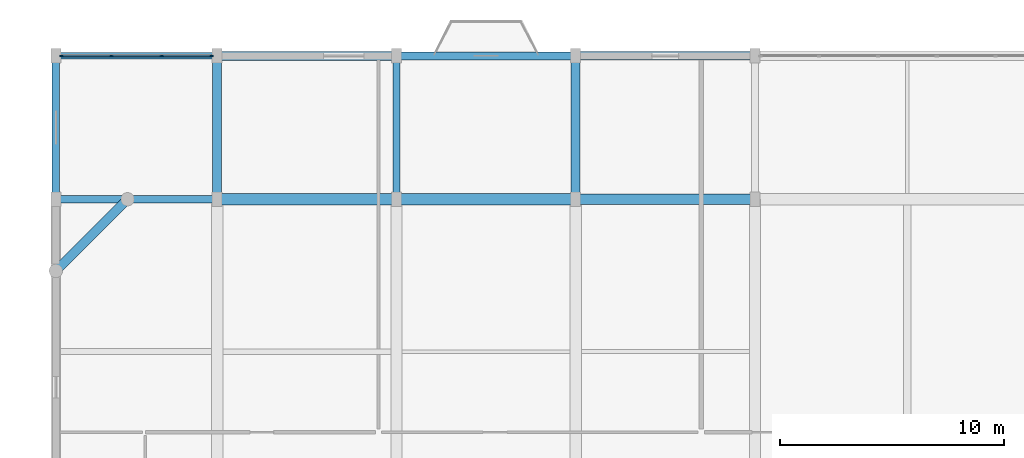
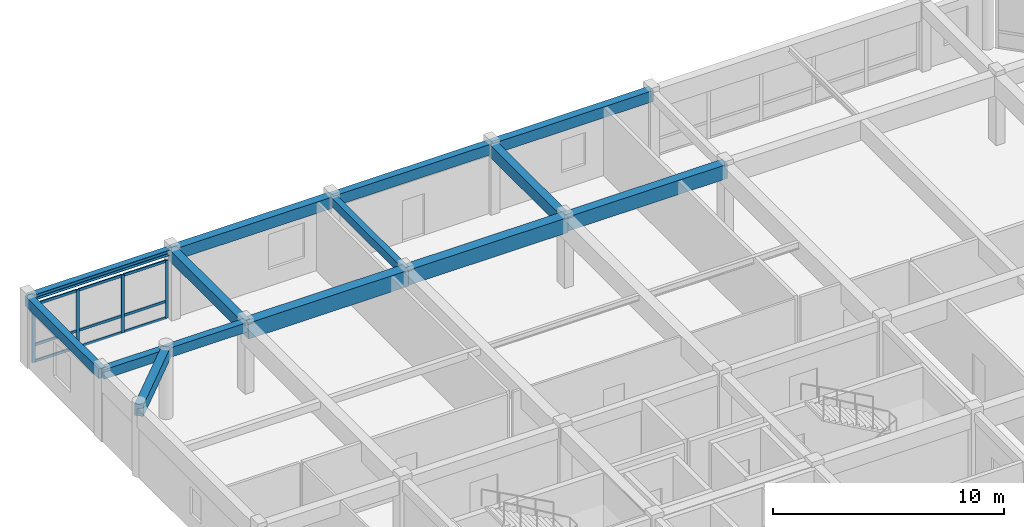
# One storey, part 7 of 13: 13 beams, 13 members, 1 element without a shape of its own.
"""IFC4 building model written with IfcOpenShell, lengths in metres."""

from ifc_helpers import new_model, si_unit, direction, frame, origin, origin_2d, place, context, subcontext, project, spatial, rectangle, i_section, extrude, material, material_profile, profile_set, type_object, element, aggregate, save


model = new_model("IFC4")

# Units and contexts
model_context = context("Model", 3, precision=1e-05, world=origin(), true_north=direction((0.0, 1.0)))
body_context = subcontext(model_context, "Body", "Model", "MODEL_VIEW")
ifc_project = project(units=[si_unit("LENGTHUNIT", "METRE"), si_unit("AREAUNIT", "SQUARE_METRE"), si_unit("VOLUMEUNIT", "CUBIC_METRE"), si_unit("PLANEANGLEUNIT", "RADIAN"), si_unit("MASSUNIT", "GRAM", prefix="KILO")], contexts=[model_context])

# Site, building, storey
site_placement = place(None, origin())
site = spatial("IfcSite", under=ifc_project, at=site_placement, CompositionType="ELEMENT")
building_placement = place(site_placement, origin())
building = spatial("IfcBuilding", under=site, at=building_placement, Name="Vellmiral Cinema and Media Centre", CompositionType="ELEMENT")
storey_placement = place(building_placement, frame((0.0, 0.0, 54.800048828125)))
storey = spatial("IfcBuildingStorey", under=building, at=storey_placement, Name="L13", CompositionType="ELEMENT", Elevation=54.800048828125)

# Beams
ifc_material_1 = material(Name="Concrete C40/50", Category="concrete")
ifc_material_profile_1 = material_profile(ifc_material_1, rectangle(XDim=0.300048828125, YDim=0.449951171875, at=origin_2d()), Name="RC 300x450")
ifc_profile_set_1 = profile_set([ifc_material_profile_1], Name="Concrete C40/50")
beam_type_1 = type_object("IfcBeamType", Name="BM-RC-300x450", PredefinedType="BEAM", material=ifc_profile_set_1)
beam_1_placement = place(storey_placement, frame((132.0, 108.800048828125, 3.429931640625), z_axis=(0.0, 1.0, 0.0), x_axis=(-1.0, 0.0, 0.0)))
element("IfcBeam", 1, at=beam_1_placement, inside=storey, type_object=beam_type_1, Name="Grid Beam L13-Y050", PredefinedType="BEAM", context=body_context, shape_type="SweptSolid", body=[
    extrude(rectangle(XDim=0.300048828125, YDim=0.449951171875, at=origin_2d()), origin(), (0.0, 0.0, 1.0), 6.39990234375),
])
ifc_material_2 = material(Name="Concrete C40/50", Category="concrete")
ifc_material_profile_2 = material_profile(ifc_material_2, rectangle(XDim=0.35009765625, YDim=0.5, at=origin_2d()), Name="RC 350x500")
ifc_profile_set_2 = profile_set([ifc_material_profile_2], Name="Concrete C40/50")
beam_type_2 = type_object("IfcBeamType", Name="BM-RC-350x500", PredefinedType="BEAM", material=ifc_profile_set_2)
beam_2_placement = place(storey_placement, frame((116.800048828125, 108.800048828125, 3.405029296875), z_axis=(1.0, 0.0, 0.0), x_axis=(0.0, 1.0, 0.0)))
element("IfcBeam", 2, at=beam_2_placement, inside=storey, type_object=beam_type_2, Name="Grid Beam L13-X025", PredefinedType="BEAM", context=body_context, shape_type="SweptSolid", body=[
    extrude(rectangle(XDim=0.35009765625, YDim=0.5, at=origin_2d()), origin(), (0.0, 0.0, 1.0), 7.199951171875),
])
ifc_material_3 = material(Name="Concrete C40/50", Category="concrete")
ifc_material_profile_3 = material_profile(ifc_material_3, rectangle(XDim=0.39990234375, YDim=0.60009765625, at=origin_2d()), Name="RC 400x600")
ifc_profile_set_3 = profile_set([ifc_material_profile_3], Name="Concrete C40/50")
beam_type_3 = type_object("IfcBeamType", Name="BM-RC-400x600", PredefinedType="BEAM", material=ifc_profile_set_3)
beam_3_placement = place(storey_placement, frame((124.0, 108.800048828125, 3.35498046875), z_axis=(0.0, 1.0, 0.0), x_axis=(-1.0, 0.0, 0.0)))
element("IfcBeam", 3, at=beam_3_placement, inside=storey, type_object=beam_type_3, Name="Grid Beam L13-Y045", PredefinedType="BEAM", context=body_context, shape_type="SweptSolid", body=[
    extrude(rectangle(XDim=0.39990234375, YDim=0.60009765625, at=origin_2d()), origin(), (0.0, 0.0, 1.0), 6.39990234375),
])
ifc_material_4 = material(Name="Concrete C40/50", Category="concrete")
ifc_material_profile_4 = material_profile(ifc_material_4, rectangle(XDim=0.39990234375, YDim=0.64990234375, at=origin_2d()), Name="RC 400x650")
ifc_profile_set_4 = profile_set([ifc_material_profile_4], Name="Concrete C40/50")
beam_type_4 = type_object("IfcBeamType", Name="BM-RC-400x650", PredefinedType="BEAM", material=ifc_profile_set_4)
beam_4_placement = place(storey_placement, frame((140.0, 108.800048828125, 3.329833984375), z_axis=(0.0, 1.0, 0.0), x_axis=(-1.0, 0.0, 0.0)))
element("IfcBeam", 4, at=beam_4_placement, inside=storey, type_object=beam_type_4, Name="Grid Beam L13-Y055", PredefinedType="BEAM", context=body_context, shape_type="SweptSolid", body=[
    extrude(rectangle(XDim=0.39990234375, YDim=0.64990234375, at=origin_2d()), origin(), (0.0, 0.0, 1.0), 6.39990234375),
])
ifc_material_5 = material(Name="Concrete C40/50", Category="concrete")
ifc_material_profile_5 = material_profile(ifc_material_5, rectangle(XDim=0.449951171875, YDim=0.75, at=origin_2d()), Name="RC 450x750")
ifc_profile_set_5 = profile_set([ifc_material_profile_5], Name="Concrete C40/50")
beam_type_5 = type_object("IfcBeamType", Name="BM-RC-450x750", PredefinedType="BEAM", material=ifc_profile_set_5)
beam_5_placement = place(storey_placement, frame((140.0, 108.800048828125, 3.280029296875), z_axis=(1.0, 0.0, 0.0), x_axis=(0.0, 1.0, 0.0)))
element("IfcBeam", 5, at=beam_5_placement, inside=storey, type_object=beam_type_5, Name="Grid Beam L13-X028", PredefinedType="BEAM", context=body_context, shape_type="SweptSolid", body=[
    extrude(rectangle(XDim=0.449951171875, YDim=0.75, at=origin_2d()), origin(), (0.0, 0.0, 1.0), 8.0),
])
ifc_material_6 = material(Name="Concrete C40/50", Category="concrete")
ifc_material_profile_6 = material_profile(ifc_material_6, rectangle(XDim=0.5, YDim=0.800048828125, at=origin_2d()), Name="RC 500x800")
ifc_profile_set_6 = profile_set([ifc_material_profile_6], Name="Concrete C40/50")
beam_type_6 = type_object("IfcBeamType", Name="BM-RC-500x800", PredefinedType="BEAM", material=ifc_profile_set_6)
beam_6_placement = place(storey_placement, frame((132.0, 108.800048828125, 3.2548828125), z_axis=(1.0, 0.0, 0.0), x_axis=(0.0, 1.0, 0.0)))
element("IfcBeam", 6, at=beam_6_placement, inside=storey, type_object=beam_type_6, Name="Grid Beam L13-X027", PredefinedType="BEAM", context=body_context, shape_type="SweptSolid", body=[
    extrude(rectangle(XDim=0.5, YDim=0.800048828125, at=origin_2d()), origin(), (0.0, 0.0, 1.0), 8.0),
])
ifc_material_7 = material(Name="Concrete C40/50", Category="concrete")
ifc_material_profile_7 = material_profile(ifc_material_7, rectangle(XDim=0.5, YDim=0.85009765625, at=origin_2d()), Name="RC 500x850")
ifc_profile_set_7 = profile_set([ifc_material_profile_7], Name="Concrete C40/50")
beam_type_7 = type_object("IfcBeamType", Name="BM-RC-500x850", PredefinedType="BEAM", material=ifc_profile_set_7)
beam_7_placement = place(storey_placement, frame((124.0, 108.800048828125, 3.22998046875), z_axis=(1.0, 0.0, 0.0), x_axis=(0.0, 1.0, 0.0)))
element("IfcBeam", 7, at=beam_7_placement, inside=storey, type_object=beam_type_7, Name="Grid Beam L13-X026", PredefinedType="BEAM", context=body_context, shape_type="SweptSolid", body=[
    extrude(rectangle(XDim=0.5, YDim=0.85009765625, at=origin_2d()), origin(), (0.0, 0.0, 1.0), 8.0),
])

# Curtain wall, members
ifc_material_8 = material(Name="Thermally Broken Aluminium and Triple Glazing", Category="aluminium")
curtain_wall_type = type_object("IfcCurtainWallType", Name="CW-TOWER-MID-W", PredefinedType="USERDEFINED", material=ifc_material_8)
curtain_wall_placement = place(storey_placement, origin())
curtain_wall = element("IfcCurtainWall", 8, at=curtain_wall_placement, inside=storey, type_object=curtain_wall_type, Name="Curtain Wall L13-B022", ObjectType="UNITISED CURTAIN WALL", PredefinedType="USERDEFINED")
ifc_material_9 = material(Name="Thermally Broken Anodised Aluminium", Category="aluminium")
ifc_material_profile_8 = material_profile(ifc_material_9, rectangle(XDim=0.06494140625, YDim=0.159912109375, at=origin_2d()), Name="MULL 65x160")
ifc_profile_set_8 = profile_set([ifc_material_profile_8], Name="Thermally Broken Anodised Aluminium")
member_type_1 = type_object("IfcMemberType", Name="CWM-65x160", PredefinedType="MULLION", material=ifc_profile_set_8)
member_1_placement = place(storey_placement, frame((123.742431640625, 115.199951171875, 0.0), z_axis=(0.0, 0.0, 1.0), x_axis=(0.0, -1.0, 0.0)))
member_1 = element("IfcMember", 9, at=member_1_placement, type_object=member_type_1, Name="CW-08 mullion 1", PredefinedType="MULLION", context=body_context, shape_type="SweptSolid", body=[
    extrude(rectangle(XDim=0.06494140625, YDim=0.159912109375, at=origin_2d()), origin(), (0.0, 0.0, 1.0), 3.06005859375),
])
member_2_placement = place(storey_placement, frame((121.52490234375, 115.199951171875, 0.0), z_axis=(0.0, 0.0, 1.0), x_axis=(0.0, -1.0, 0.0)))
member_2 = element("IfcMember", 10, at=member_2_placement, type_object=member_type_1, Name="CW-08 mullion 2", PredefinedType="MULLION", context=body_context, shape_type="SweptSolid", body=[
    extrude(rectangle(XDim=0.06494140625, YDim=0.159912109375, at=origin_2d()), origin(), (0.0, 0.0, 1.0), 3.06005859375),
])
member_3_placement = place(storey_placement, frame((119.27490234375, 115.199951171875, 0.0), z_axis=(0.0, 0.0, 1.0), x_axis=(0.0, -1.0, 0.0)))
member_3 = element("IfcMember", 11, at=member_3_placement, type_object=member_type_1, Name="CW-08 mullion 3", PredefinedType="MULLION", context=body_context, shape_type="SweptSolid", body=[
    extrude(rectangle(XDim=0.06494140625, YDim=0.159912109375, at=origin_2d()), origin(), (0.0, 0.0, 1.0), 3.06005859375),
])
member_4_placement = place(storey_placement, frame((117.0576171875, 115.199951171875, 0.0), z_axis=(0.0, 0.0, 1.0), x_axis=(0.0, -1.0, 0.0)))
member_4 = element("IfcMember", 12, at=member_4_placement, type_object=member_type_1, Name="CW-08 mullion 4", PredefinedType="MULLION", context=body_context, shape_type="SweptSolid", body=[
    extrude(rectangle(XDim=0.06494140625, YDim=0.159912109375, at=origin_2d()), origin(), (0.0, 0.0, 1.0), 3.06005859375),
])
ifc_material_10 = material(Name="Thermally Broken Anodised Aluminium", Category="aluminium")
ifc_material_profile_9 = material_profile(ifc_material_10, rectangle(XDim=0.06494140625, YDim=0.135009765625, at=origin_2d()), Name="MULL 65x135")
ifc_profile_set_9 = profile_set([ifc_material_profile_9], Name="Thermally Broken Anodised Aluminium")
member_type_2 = type_object("IfcMemberType", Name="CWT-65x135", PredefinedType="USERDEFINED", material=ifc_profile_set_9)
member_5_placement = place(storey_placement, frame((123.7099609375, 115.199951171875, 0.032470703125), z_axis=(-1.0, 0.0, 0.0), x_axis=(0.0, -1.0, 0.0)))
member_5 = element("IfcMember", 13, at=member_5_placement, type_object=member_type_2, Name="CW-08 transom 1.1", ObjectType="TRANSOM", PredefinedType="USERDEFINED", context=body_context, shape_type="SweptSolid", body=[
    extrude(rectangle(XDim=0.06494140625, YDim=0.135009765625, at=origin_2d()), origin(), (0.0, 0.0, 1.0), 2.15234375),
])
member_6_placement = place(storey_placement, frame((123.7099609375, 115.199951171875, 0.89990234375), z_axis=(-1.0, 0.0, 0.0), x_axis=(0.0, -1.0, 0.0)))
member_6 = element("IfcMember", 14, at=member_6_placement, type_object=member_type_2, Name="CW-08 transom 1.2", ObjectType="TRANSOM", PredefinedType="USERDEFINED", context=body_context, shape_type="SweptSolid", body=[
    extrude(rectangle(XDim=0.06494140625, YDim=0.135009765625, at=origin_2d()), origin(), (0.0, 0.0, 1.0), 2.15234375),
])
member_7_placement = place(storey_placement, frame((123.7099609375, 115.199951171875, 3.02734375), z_axis=(-1.0, 0.0, 0.0), x_axis=(0.0, -1.0, 0.0)))
member_7 = element("IfcMember", 15, at=member_7_placement, type_object=member_type_2, Name="CW-08 transom 1.3", ObjectType="TRANSOM", PredefinedType="USERDEFINED", context=body_context, shape_type="SweptSolid", body=[
    extrude(rectangle(XDim=0.06494140625, YDim=0.135009765625, at=origin_2d()), origin(), (0.0, 0.0, 1.0), 2.15234375),
])
member_8_placement = place(storey_placement, frame((121.492431640625, 115.199951171875, 0.032470703125), z_axis=(-1.0, 0.0, 0.0), x_axis=(0.0, -1.0, 0.0)))
member_8 = element("IfcMember", 16, at=member_8_placement, type_object=member_type_2, Name="CW-08 transom 2.1", ObjectType="TRANSOM", PredefinedType="USERDEFINED", context=body_context, shape_type="SweptSolid", body=[
    extrude(rectangle(XDim=0.06494140625, YDim=0.135009765625, at=origin_2d()), origin(), (0.0, 0.0, 1.0), 2.184814453125),
])
member_9_placement = place(storey_placement, frame((121.492431640625, 115.199951171875, 0.89990234375), z_axis=(-1.0, 0.0, 0.0), x_axis=(0.0, -1.0, 0.0)))
member_9 = element("IfcMember", 17, at=member_9_placement, type_object=member_type_2, Name="CW-08 transom 2.2", ObjectType="TRANSOM", PredefinedType="USERDEFINED", context=body_context, shape_type="SweptSolid", body=[
    extrude(rectangle(XDim=0.06494140625, YDim=0.135009765625, at=origin_2d()), origin(), (0.0, 0.0, 1.0), 2.184814453125),
])
member_10_placement = place(storey_placement, frame((121.492431640625, 115.199951171875, 3.02734375), z_axis=(-1.0, 0.0, 0.0), x_axis=(0.0, -1.0, 0.0)))
member_10 = element("IfcMember", 18, at=member_10_placement, type_object=member_type_2, Name="CW-08 transom 2.3", ObjectType="TRANSOM", PredefinedType="USERDEFINED", context=body_context, shape_type="SweptSolid", body=[
    extrude(rectangle(XDim=0.06494140625, YDim=0.135009765625, at=origin_2d()), origin(), (0.0, 0.0, 1.0), 2.184814453125),
])
member_11_placement = place(storey_placement, frame((119.242431640625, 115.199951171875, 0.032470703125), z_axis=(-1.0, 0.0, 0.0), x_axis=(0.0, -1.0, 0.0)))
member_11 = element("IfcMember", 19, at=member_11_placement, type_object=member_type_2, Name="CW-08 transom 3.1", ObjectType="TRANSOM", PredefinedType="USERDEFINED", context=body_context, shape_type="SweptSolid", body=[
    extrude(rectangle(XDim=0.06494140625, YDim=0.135009765625, at=origin_2d()), origin(), (0.0, 0.0, 1.0), 2.15234375),
])
member_12_placement = place(storey_placement, frame((119.242431640625, 115.199951171875, 0.89990234375), z_axis=(-1.0, 0.0, 0.0), x_axis=(0.0, -1.0, 0.0)))
member_12 = element("IfcMember", 20, at=member_12_placement, type_object=member_type_2, Name="CW-08 transom 3.2", ObjectType="TRANSOM", PredefinedType="USERDEFINED", context=body_context, shape_type="SweptSolid", body=[
    extrude(rectangle(XDim=0.06494140625, YDim=0.135009765625, at=origin_2d()), origin(), (0.0, 0.0, 1.0), 2.15234375),
])
member_13_placement = place(storey_placement, frame((119.242431640625, 115.199951171875, 3.02734375), z_axis=(-1.0, 0.0, 0.0), x_axis=(0.0, -1.0, 0.0)))
member_13 = element("IfcMember", 21, at=member_13_placement, type_object=member_type_2, Name="CW-08 transom 3.3", ObjectType="TRANSOM", PredefinedType="USERDEFINED", context=body_context, shape_type="SweptSolid", body=[
    extrude(rectangle(XDim=0.06494140625, YDim=0.135009765625, at=origin_2d()), origin(), (0.0, 0.0, 1.0), 2.15234375),
])
aggregate(curtain_wall, [member_1, member_2, member_3, member_4, member_5, member_6, member_7, member_8, member_9, member_10, member_11, member_12, member_13])

# Beams
ifc_material_11 = material(Name="Steel S355", Category="steel")
ifc_material_profile_10 = material_profile(ifc_material_11, i_section(OverallWidth=0.300048828125, OverallDepth=0.300048828125, WebThickness=0.010986328125, FlangeThickness=0.01904296875, FilletRadius=0.027099609375, at=origin_2d()), Name="HEB 300")
ifc_profile_set_10 = profile_set([ifc_material_profile_10], Name="Steel S355")
beam_type_8 = type_object("IfcBeamType", Name="SBM-HEB300", PredefinedType="SPANDREL", material=ifc_profile_set_10)
beam_8_placement = place(storey_placement, frame((116.800048828125, 115.199951171875, 3.5048828125), z_axis=(1.0, 0.0, 0.0), x_axis=(0.0, 1.0, 0.0)))
element("IfcBeam", 22, at=beam_8_placement, inside=storey, type_object=beam_type_8, Name="Grid Beam L13-X031", PredefinedType="SPANDREL", context=body_context, shape_type="SweptSolid", body=[
    extrude(i_section(OverallWidth=0.300048828125, OverallDepth=0.300048828125, WebThickness=0.010986328125, FlangeThickness=0.01904296875, FilletRadius=0.027099609375, at=origin_2d()), origin(), (0.0, 0.0, 1.0), 7.199951171875),
])
ifc_material_12 = material(Name="Concrete C40/50", Category="concrete")
ifc_material_profile_11 = material_profile(ifc_material_12, rectangle(XDim=0.35009765625, YDim=0.56005859375, at=origin_2d()), Name="RC 350x560")
ifc_profile_set_11 = profile_set([ifc_material_profile_11], Name="Concrete C40/50")
beam_type_9 = type_object("IfcBeamType", Name="SPD-RC-350x560", PredefinedType="SPANDREL", material=ifc_profile_set_11)
beam_9_placement = place(storey_placement, frame((132.0, 115.199951171875, 3.375), z_axis=(1.0, 0.0, 0.0), x_axis=(0.0, 1.0, 0.0)))
element("IfcBeam", 23, at=beam_9_placement, inside=storey, type_object=beam_type_9, Name="Grid Beam L13-X033", PredefinedType="SPANDREL", context=body_context, shape_type="SweptSolid", body=[
    extrude(rectangle(XDim=0.35009765625, YDim=0.56005859375, at=origin_2d()), origin(), (0.0, 0.0, 1.0), 8.0),
])
ifc_material_13 = material(Name="Concrete C40/50", Category="concrete")
ifc_material_profile_12 = material_profile(ifc_material_13, rectangle(XDim=0.39990234375, YDim=0.60009765625, at=origin_2d()), Name="RC 400x600")
ifc_profile_set_12 = profile_set([ifc_material_profile_12], Name="Concrete C40/50")
beam_type_10 = type_object("IfcBeamType", Name="SPD-RC-400x600", PredefinedType="SPANDREL", material=ifc_profile_set_12)
beam_10_placement = place(storey_placement, frame((124.0, 115.199951171875, 3.35498046875), z_axis=(1.0, 0.0, 0.0), x_axis=(0.0, 1.0, 0.0)))
element("IfcBeam", 24, at=beam_10_placement, inside=storey, type_object=beam_type_10, Name="Grid Beam L13-X032", PredefinedType="SPANDREL", context=body_context, shape_type="SweptSolid", body=[
    extrude(rectangle(XDim=0.39990234375, YDim=0.60009765625, at=origin_2d()), origin(), (0.0, 0.0, 1.0), 8.0),
])
beam_11_placement = place(storey_placement, frame((116.800048828125, 105.60009765625, 3.35498046875), z_axis=(0.707106781187, 0.707106781187, 0.0), x_axis=(-0.707106781187, 0.707106781187, 0.0)))
element("IfcBeam", 25, at=beam_11_placement, inside=storey, type_object=beam_type_10, Name="Xamfra Chamfer Spandrel Beam L13-071", PredefinedType="SPANDREL", context=body_context, shape_type="SweptSolid", body=[
    extrude(rectangle(XDim=0.39990234375, YDim=0.60009765625, at=origin_2d()), origin(), (0.0, 0.0, 1.0), 4.525390625),
])
ifc_material_14 = material(Name="Vosges Red Sandstone Masonry", Category="masonry")
ifc_material_profile_13 = material_profile(ifc_material_14, rectangle(XDim=0.340087890625, YDim=0.52001953125, at=origin_2d()), Name="SAND 340x520")
ifc_profile_set_13 = profile_set([ifc_material_profile_13], Name="Vosges Red Sandstone Masonry")
beam_type_11 = type_object("IfcBeamType", Name="SPD-SAND-340x520", PredefinedType="SPANDREL", material=ifc_profile_set_13)
beam_12_placement = place(storey_placement, frame((116.800048828125, 108.800048828125, 3.39501953125), z_axis=(0.0, 1.0, 0.0), x_axis=(-1.0, 0.0, 0.0)))
element("IfcBeam", 26, at=beam_12_placement, inside=storey, type_object=beam_type_11, Name="Grid Beam L13-Y040", PredefinedType="SPANDREL", context=body_context, shape_type="SweptSolid", body=[
    extrude(rectangle(XDim=0.340087890625, YDim=0.52001953125, at=origin_2d()), origin(), (0.0, 0.0, 1.0), 6.39990234375),
])
ifc_material_15 = material(Name="Vosges Red Sandstone Masonry", Category="masonry")
ifc_material_profile_14 = material_profile(ifc_material_15, rectangle(XDim=0.3798828125, YDim=0.580078125, at=origin_2d()), Name="SAND 380x580")
ifc_profile_set_14 = profile_set([ifc_material_profile_14], Name="Vosges Red Sandstone Masonry")
beam_type_12 = type_object("IfcBeamType", Name="SPD-SAND-380x580", PredefinedType="SPANDREL", material=ifc_profile_set_14)
beam_13_placement = place(storey_placement, frame((140.0, 115.199951171875, 3.364990234375), z_axis=(1.0, 0.0, 0.0), x_axis=(0.0, 1.0, 0.0)))
element("IfcBeam", 27, at=beam_13_placement, inside=storey, type_object=beam_type_12, Name="Grid Beam L13-X034", PredefinedType="SPANDREL", context=body_context, shape_type="SweptSolid", body=[
    extrude(rectangle(XDim=0.3798828125, YDim=0.580078125, at=origin_2d()), origin(), (0.0, 0.0, 1.0), 8.0),
])

save(model, "model.ifc")
